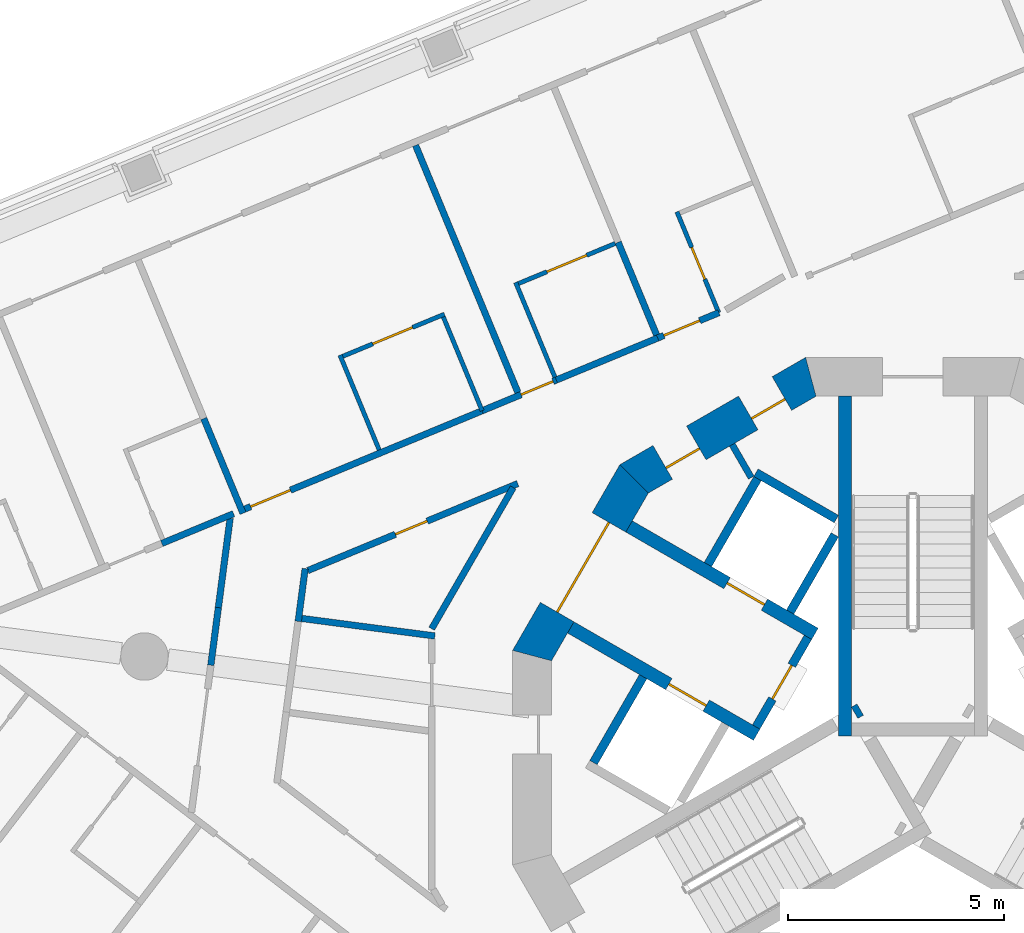
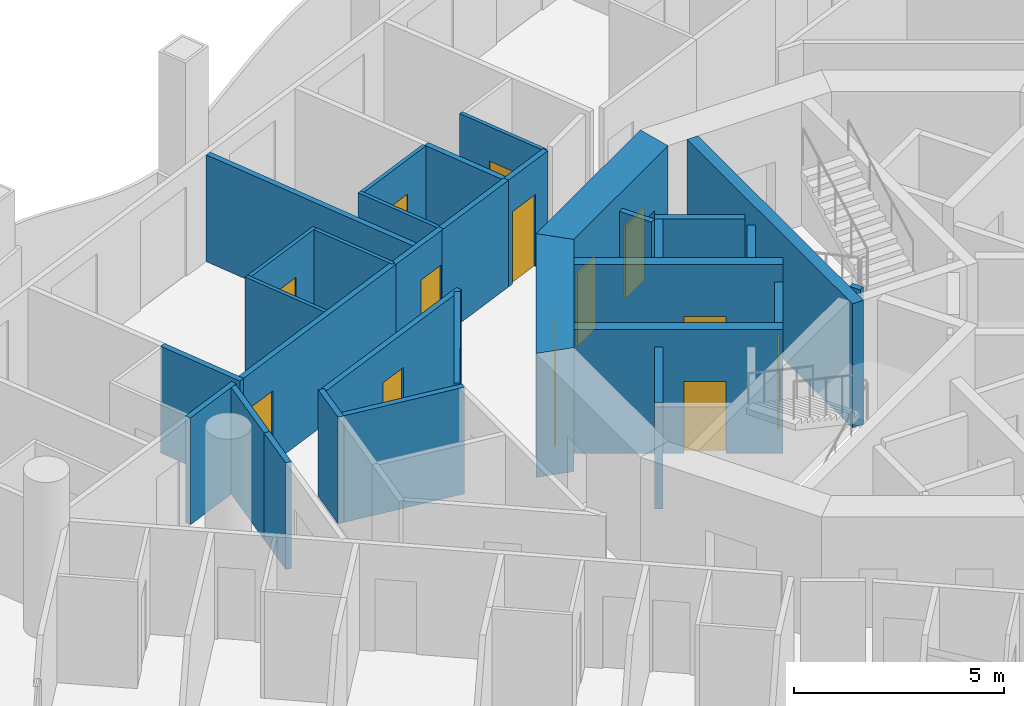
# One storey, part 7 of 17: 32 walls, 13 doors, 13 openings.
"""IFC4 building model written with IfcOpenShell, lengths in metres."""

from ifc_helpers import new_model, si_unit, direction, frame, frame_2d, origin, place, context, subcontext, project, spatial, polyline, rectangle, outline, extrude, material, layer, layer_set, type_object, element, fill, save


model = new_model("IFC4")

# Units and contexts
model_context = context("Model", 3, precision=1e-05, world=origin(), true_north=direction((0.0, 1.0)))
body_context = subcontext(model_context, "Body", "Model", "MODEL_VIEW")
ifc_project = project(units=[si_unit("LENGTHUNIT", "METRE"), si_unit("AREAUNIT", "SQUARE_METRE"), si_unit("VOLUMEUNIT", "CUBIC_METRE"), si_unit("PLANEANGLEUNIT", "RADIAN"), si_unit("MASSUNIT", "GRAM", prefix="KILO")], contexts=[model_context])

# Site, building, storey
site_placement = place(None, origin())
site = spatial("IfcSite", under=ifc_project, at=site_placement, CompositionType="ELEMENT")
building_placement = place(site_placement, origin())
building = spatial("IfcBuilding", under=site, at=building_placement, Name="Trine Commons Tower", CompositionType="ELEMENT")
storey_placement = place(building_placement, frame((0.0, 0.0, 153.0)))
storey = spatial("IfcBuildingStorey", under=building, at=storey_placement, Name="L39", CompositionType="ELEMENT", Elevation=153.0)

# Wall
ifc_material_1 = material(Name="Plasterboard partition on steel studs", Category="steel")
ifc_layer_1 = layer(ifc_material_1, 0.14990234375)
ifc_layer_set_1 = layer_set([ifc_layer_1], Name="Plasterboard partition on steel studs")
wall_type_1 = type_object("IfcWallType", Name="Core room partition 150 mm, EI 60", PredefinedType="PARTITIONING", material=ifc_layer_set_1)
wall_1_placement = place(storey_placement, frame((75.81396484375, 69.7509765625, 0.0), z_axis=(0.0, 0.0, 1.0), x_axis=(0.499890179513, -0.866088799389, 0.0)))
element("IfcWall", 1, at=wall_1_placement, inside=storey, type_object=wall_type_1, Name="Core room partition L39", PredefinedType="PARTITIONING", context=body_context, shape_type="SweptSolid", body=[
    extrude(rectangle(XDim=0.882080078125, YDim=0.14990234375, at=frame_2d((0.44091796875, 0.0))), origin(), (0.0, 0.0, 1.0), 3.10009765625),
])

# Wall, opening, door
ifc_material_2 = material(Name="Fire-rated gypsum shaft wall system")
ifc_layer_2 = layer(ifc_material_2, 0.199951171875)
ifc_layer_set_2 = layer_set([ifc_layer_2], Name="Fire-rated gypsum shaft wall system")
wall_type_2 = type_object("IfcWallType", Name="Lobby end wall 200 mm, EI 120", PredefinedType="PARTITIONING", material=ifc_layer_set_2)
wall_2_placement = place(storey_placement, frame((77.569091796875, 65.2890625, 0.0), z_axis=(0.0, 0.0, 1.0), x_axis=(-0.50012165622, -0.865955154139, 0.0)))
wall_2 = element("IfcWall", 2, at=wall_2_placement, inside=storey, type_object=wall_type_2, Name="Lobby end wall L39", PredefinedType="PARTITIONING", context=body_context, shape_type="SweptSolid", body=[
    extrude(rectangle(XDim=2.39990234375, YDim=0.199951171875, at=frame_2d((1.199951171875, 0.0))), origin(), (0.0, 0.0, 1.0), 3.10009765625),
])
opening_1_placement = place(wall_2_placement, frame((0.749755859375, 0.0, 0.0)))
opening_1 = element("IfcOpeningElement", 3, at=opening_1_placement, cuts=wall_2, Name="Opening K10.07", PredefinedType="OPENING", context=body_context, shape_type="SweptSolid", body=[
    extrude(rectangle(XDim=0.89990234375, YDim=2.10009765625, at=frame_2d((0.449951171875, 1.050048828125))), frame((0.0, 0.10986328125, 0.0), z_axis=(0.0, -1.0, 0.0), x_axis=(1.0, 0.0, 0.0)), (0.0, 0.0, 1.0), 0.219970703125),
])
ifc_material_3 = material(Name="Steel door leaf, fire-rated", Category="steel")
door_type_1 = type_object("IfcDoorType", Name="Riser access door, single leaf 900 x 2100, FD60", OperationType="SINGLE_SWING_LEFT", PredefinedType="DOOR", material=ifc_material_3)
door_1_placement = place(opening_1_placement, frame((0.89990234375, 0.0, 0.0), z_axis=(0.0, 0.0, 1.0), x_axis=(-1.0, 0.0, 0.0)))
door_1 = element("IfcDoor", 4, at=door_1_placement, inside=storey, type_object=door_type_1, Name="Riser door, Mechanical riser L39", OperationType="SINGLE_SWING_RIGHT", OverallHeight=2.10009765625, OverallWidth=0.89990234375, PredefinedType="DOOR", context=body_context, shape_type="SweptSolid", body=[
    extrude(rectangle(XDim=0.89990234375, YDim=2.10009765625, at=frame_2d((0.449951171875, 1.050048828125))), frame((0.0, 0.02490234375, 0.0), z_axis=(0.0, -1.0, 0.0), x_axis=(1.0, 0.0, 0.0)), (0.0, 0.0, 1.0), 0.050048828125),
])
fill(opening_1, door_1)

ifc_material_4 = material(Name="Concrete C70/85", Category="concrete")
ifc_layer_3 = layer(ifc_material_4, 0.300048828125)
ifc_layer_set_3 = layer_set([ifc_layer_3], Name="Concrete C70/85")
wall_type_3 = type_object("IfcWallType", Name="RC shear wall 300 mm, C70/85", PredefinedType="SHEAR", material=ifc_layer_set_3)
wall_3_placement = place(storey_placement, frame((76.381103515625, 63.031005859375, 0.0), z_axis=(0.0, 0.0, 1.0), x_axis=(-0.866080953719, 0.499903772346, 0.0)))
wall_3 = element("IfcWall", 5, at=wall_3_placement, inside=storey, type_object=wall_type_3, Name="Core cross wall SWB-01 L39", PredefinedType="SHEAR", context=body_context, shape_type="SweptSolid", body=[
    extrude(rectangle(XDim=4.97314453125, YDim=0.300048828125, at=frame_2d((2.486572265625, 0.0))), origin(), (0.0, 0.0, 1.0), 3.60009765625),
])
opening_2_placement = place(wall_3_placement, frame((1.350341796875, 0.0, 0.0)))
opening_2 = element("IfcOpeningElement", 6, at=opening_2_placement, cuts=wall_3, Name="Opening LD7", PredefinedType="OPENING", context=body_context, shape_type="SweptSolid", body=[
    extrude(rectangle(XDim=1.0, YDim=2.10009765625, at=frame_2d((0.5, 1.050048828125))), frame((0.0, 0.159912109375, 0.0), z_axis=(0.0, -1.0, 0.0), x_axis=(1.0, 0.0, 0.0)), (0.0, 0.0, 1.0), 0.320068359375),
])
ifc_material_5 = material(Name="Stainless steel sliding door leaves", Category="steel")
door_type_2 = type_object("IfcDoorType", Name="Lift landing door, centre-opening sliding 1000 x 2100, FD90", OperationType="DOUBLE_DOOR_SLIDING", PredefinedType="DOOR", material=ifc_material_5)
door_2_placement = place(opening_2_placement, origin())
door_2 = element("IfcDoor", 7, at=door_2_placement, inside=storey, type_object=door_type_2, Name="Lift landing door HR3 L39", OperationType="DOUBLE_DOOR_SLIDING", OverallHeight=2.10009765625, OverallWidth=1.0, PredefinedType="DOOR", context=body_context, shape_type="SweptSolid", body=[
    extrude(rectangle(XDim=1.0, YDim=2.10009765625, at=frame_2d((0.5, 1.050048828125))), frame((0.0, 0.02490234375, 0.0), z_axis=(0.0, -1.0, 0.0), x_axis=(1.0, 0.0, 0.0)), (0.0, 0.0, 1.0), 0.050048828125),
])
fill(opening_2, door_2)

wall_4_placement = place(storey_placement, frame((77.73095703125, 65.368896484375, 0.0), z_axis=(0.0, 0.0, 1.0), x_axis=(-0.865983655544, 0.500072303102, 0.0)))
wall_4 = element("IfcWall", 8, at=wall_4_placement, inside=storey, type_object=wall_type_3, Name="Core cross wall SWB-02 L39", PredefinedType="SHEAR", context=body_context, shape_type="SweptSolid", body=[
    extrude(rectangle(XDim=4.973388671875, YDim=0.300048828125, at=frame_2d((2.48681640625, 0.0))), origin(), (0.0, 0.0, 1.0), 3.60009765625),
])
opening_3_placement = place(wall_4_placement, frame((1.3505859375, 0.0, 0.0)))
opening_3 = element("IfcOpeningElement", 9, at=opening_3_placement, cuts=wall_4, Name="Opening LD8", PredefinedType="OPENING", context=body_context, shape_type="SweptSolid", body=[
    extrude(rectangle(XDim=1.0, YDim=2.10009765625, at=frame_2d((0.5, 1.050048828125))), frame((0.0, 0.159912109375, 0.0), z_axis=(0.0, -1.0, 0.0), x_axis=(1.0, 0.0, 0.0)), (0.0, 0.0, 1.0), 0.320068359375),
])
door_3_placement = place(opening_3_placement, origin())
door_3 = element("IfcDoor", 10, at=door_3_placement, inside=storey, type_object=door_type_2, Name="Lift landing door HR4 L39", OperationType="DOUBLE_DOOR_SLIDING", OverallHeight=2.10009765625, OverallWidth=1.0, PredefinedType="DOOR", context=body_context, shape_type="SweptSolid", body=[
    extrude(rectangle(XDim=1.0, YDim=2.10009765625, at=frame_2d((0.5, 1.050048828125))), frame((0.0, 0.02490234375, 0.0), z_axis=(0.0, -1.0, 0.0), x_axis=(1.0, 0.0, 0.0)), (0.0, 0.0, 1.0), 0.050048828125),
])
fill(opening_3, door_3)

# Walls
wall_5_placement = place(storey_placement, frame((78.425048828125, 63.0009765625, 0.0), z_axis=(0.0, 0.0, 1.0), x_axis=(0.0, 1.0, 0.0)))
element("IfcWall", 11, at=wall_5_placement, inside=storey, type_object=wall_type_3, Name="Core cross wall SWB-08 L39", PredefinedType="SHEAR", context=body_context, shape_type="SweptSolid", body=[
    extrude(rectangle(XDim=7.8720703125, YDim=0.300048828125, at=frame_2d((3.93603515625, 0.0))), origin(), (0.0, 0.0, 1.0), 3.60009765625),
])
wall_6_placement = place(storey_placement, frame((78.779052734375, 63.614013671875, 0.0), z_axis=(0.0, 0.0, 1.0), x_axis=(-0.867737973955, -0.497021939713, 0.0)))
element("IfcWall", 12, at=wall_6_placement, inside=storey, type_object=wall_type_3, Name="Core cross wall SWB-09 L39", PredefinedType="SHEAR", context=body_context, shape_type="SweptSolid", body=[
    extrude(rectangle(XDim=0.14892578125, YDim=0.300048828125, at=frame_2d((0.074462890625, 0.0))), origin(), (0.0, 0.0, 1.0), 3.60009765625),
])

# Wall, openings, doors
ifc_layer_4 = layer(ifc_material_4, 0.89990234375)
ifc_layer_set_4 = layer_set([ifc_layer_4], Name="Concrete C70/85")
wall_type_4 = type_object("IfcWallType", Name="RC shear wall 900 mm, C70/85", PredefinedType="SHEAR", material=ifc_layer_set_4)
wall_7_placement = place(storey_placement, frame((77.740234375, 71.38330078125, 0.0), z_axis=(0.0, 0.0, 1.0), x_axis=(-0.866003133579, -0.500038571144, 0.0)))
wall_7 = element("IfcWall", 13, at=wall_7_placement, inside=storey, type_object=wall_type_4, Name="Core wall CWD-05 L39", PredefinedType="SHEAR", context=body_context, shape_type="SweptSolid", body=[
    extrude(outline(polyline([(0.0, -0.449951171875), (4.96923828125, -0.449951171875), (4.72802734375, 0.449951171875), (0.2412109375, 0.449951171875), (0.0, -0.449951171875)])), origin(), (0.0, 0.0, 1.0), 3.60009765625),
])
opening_4_placement = place(wall_7_placement, frame((0.89501953125, 0.0, 0.0)))
opening_4 = element("IfcOpeningElement", 14, at=opening_4_placement, cuts=wall_7, Name="Opening K10.13", PredefinedType="OPENING", context=body_context, shape_type="SweptSolid", body=[
    extrude(rectangle(XDim=0.89990234375, YDim=2.10009765625, at=frame_2d((0.449951171875, 1.050048828125))), frame((0.0, 0.4599609375, 0.0), z_axis=(0.0, -1.0, 0.0), x_axis=(1.0, 0.0, 0.0)), (0.0, 0.0, 1.0), 0.919921875),
])
opening_5_placement = place(wall_7_placement, frame((3.18408203125, 0.0, 0.0)))
opening_5 = element("IfcOpeningElement", 15, at=opening_5_placement, cuts=wall_7, Name="Opening K10.14", PredefinedType="OPENING", context=body_context, shape_type="SweptSolid", body=[
    extrude(rectangle(XDim=0.89990234375, YDim=2.10009765625, at=frame_2d((0.449951171875, 1.050048828125))), frame((0.0, 0.4599609375, 0.0), z_axis=(0.0, -1.0, 0.0), x_axis=(1.0, 0.0, 0.0)), (0.0, 0.0, 1.0), 0.919921875),
])
door_type_3 = type_object("IfcDoorType", Name="Core room door, single leaf 900 x 2100, FD30S", OperationType="SINGLE_SWING_LEFT", PredefinedType="DOOR", material=ifc_material_3)
door_4_placement = place(opening_4_placement, origin())
door_4 = element("IfcDoor", 16, at=door_4_placement, inside=storey, type_object=door_type_3, Name="Door to Parcel store L39", OperationType="SINGLE_SWING_LEFT", OverallHeight=2.10009765625, OverallWidth=0.89990234375, PredefinedType="DOOR", context=body_context, shape_type="SweptSolid", body=[
    extrude(rectangle(XDim=0.89990234375, YDim=2.10009765625, at=frame_2d((0.449951171875, 1.050048828125))), frame((0.0, 0.1748046875, 0.0), z_axis=(0.0, -1.0, 0.0), x_axis=(1.0, 0.0, 0.0)), (0.0, 0.0, 1.0), 0.050048828125),
])
fill(opening_4, door_4)
door_5_placement = place(opening_5_placement, origin())
door_5 = element("IfcDoor", 17, at=door_5_placement, inside=storey, type_object=door_type_3, Name="Door to Print room L39", OperationType="SINGLE_SWING_RIGHT", OverallHeight=2.10009765625, OverallWidth=0.89990234375, PredefinedType="DOOR", context=body_context, shape_type="SweptSolid", body=[
    extrude(rectangle(XDim=0.89990234375, YDim=2.10009765625, at=frame_2d((0.449951171875, 1.050048828125))), frame((0.0, 0.1748046875, 0.0), z_axis=(0.0, -1.0, 0.0), x_axis=(1.0, 0.0, 0.0)), (0.0, 0.0, 1.0), 0.050048828125),
])
fill(opening_5, door_5)

# Wall, opening, door
wall_8_placement = place(storey_placement, frame((73.6015625, 69.063232421875, 0.0), z_axis=(0.0, 0.0, 1.0), x_axis=(-0.500038571144, -0.866003133579, 0.0)))
wall_8 = element("IfcWall", 18, at=wall_8_placement, inside=storey, type_object=wall_type_4, Name="Core wall CWD-06 L39", PredefinedType="SHEAR", context=body_context, shape_type="SweptSolid", body=[
    extrude(outline(polyline([(0.0, -0.449951171875), (4.96923828125, -0.449951171875), (4.72802734375, 0.449951171875), (0.2412109375, 0.449951171875), (0.0, -0.449951171875)])), origin(), (0.0, 0.0, 1.0), 3.60009765625),
])
opening_6_placement = place(wall_8_placement, frame((1.28466796875, 0.0, 0.0)))
opening_6 = element("IfcOpeningElement", 19, at=opening_6_placement, cuts=wall_8, Name="Opening K10.06", PredefinedType="OPENING", context=body_context, shape_type="SweptSolid", body=[
    extrude(rectangle(XDim=2.39990234375, YDim=2.10009765625, at=frame_2d((1.199951171875, 1.050048828125))), frame((0.0, 0.4599609375, 0.0), z_axis=(0.0, -1.0, 0.0), x_axis=(1.0, 0.0, 0.0)), (0.0, 0.0, 1.0), 0.919921875),
])
ifc_material_6 = material(Name="Steel door leaves, fire-rated", Category="steel")
door_type_4 = type_object("IfcDoorType", Name="Lobby door, double leaf 2400 x 2100, FD60", OperationType="DOUBLE_DOOR_SINGLE_SWING", PredefinedType="DOOR", material=ifc_material_6)
door_6_placement = place(opening_6_placement, origin())
door_6 = element("IfcDoor", 20, at=door_6_placement, inside=storey, type_object=door_type_4, Name="Lobby door, Passenger lift lobby B L39", OperationType="DOUBLE_DOOR_SINGLE_SWING", OverallHeight=2.10009765625, OverallWidth=2.39990234375, PredefinedType="DOOR", context=body_context, shape_type="SweptSolid", body=[
    extrude(rectangle(XDim=2.39990234375, YDim=2.10009765625, at=frame_2d((1.199951171875, 1.050048828125))), frame((0.0, 0.02490234375, 0.0), z_axis=(0.0, -1.0, 0.0), x_axis=(1.0, 0.0, 0.0)), (0.0, 0.0, 1.0), 0.050048828125),
])
fill(opening_6, door_6)

# Walls
ifc_layer_5 = layer(ifc_material_2, 0.199951171875)
ifc_layer_set_5 = layer_set([ifc_layer_5], Name="Fire-rated gypsum shaft wall system")
wall_type_5 = type_object("IfcWallType", Name="Shaft wall 200 mm, EI 120", PredefinedType="PARTITIONING", material=ifc_layer_set_5)
for number, where, z_axis, x_axis, name in (
    (21, (73.7509765625, 64.3759765625, 0.0), (0.0, 0.0, 1.0), (-0.500136062276, -0.86594683394, 0.0), "Shaft wall L39"),
    (22, (75.2509765625, 66.97412109375, 0.0), (0.0, 0.0, 1.0), (0.500136062276, 0.86594683394, 0.0), "Shaft wall L39"),
):
    element("IfcWall", number, at=place(storey_placement, frame(where, z_axis=z_axis, x_axis=x_axis)), inside=storey, type_object=wall_type_5, Name=name, PredefinedType="PARTITIONING", context=body_context, shape_type="SweptSolid", body=[
        extrude(rectangle(XDim=2.299072265625, YDim=0.199951171875, at=frame_2d((1.1494140625, 0.0))), origin(), (0.0, 0.0, 1.0), 3.10009765625),
    ])
wall_9_placement = place(storey_placement, frame((77.156005859375, 65.8740234375, 0.0), z_axis=(0.0, 0.0, 1.0), x_axis=(0.499865770674, 0.866102887253, 0.0)))
element("IfcWall", 23, at=wall_9_placement, inside=storey, type_object=wall_type_5, Name="Shaft wall L39", PredefinedType="PARTITIONING", context=body_context, shape_type="SweptSolid", body=[
    extrude(rectangle(XDim=2.064453125, YDim=0.199951171875, at=frame_2d((1.0322265625, 0.0))), origin(), (0.0, 0.0, 1.0), 3.10009765625),
])
wall_10_placement = place(storey_placement, frame((78.22509765625, 68.028076171875, 0.0), z_axis=(0.0, 0.0, 1.0), x_axis=(-0.866130725101, 0.499817533742, 0.0)))
element("IfcWall", 24, at=wall_10_placement, inside=storey, type_object=wall_type_5, Name="Shaft wall L39", PredefinedType="PARTITIONING", context=body_context, shape_type="SweptSolid", body=[
    extrude(rectangle(XDim=2.148681640625, YDim=0.199951171875, at=frame_2d((1.07421875, 0.0))), origin(), (0.0, 0.0, 1.0), 3.10009765625),
])
ifc_material_7 = material(Name="Gypsum plasterboard on steel stud", Category="steel")
ifc_layer_6 = layer(ifc_material_7, 0.14990234375)
ifc_layer_set_6 = layer_set([ifc_layer_6], Name="Gypsum plasterboard on steel stud")
wall_type_6 = type_object("IfcWallType", Name="Unit and corridor wall 150 mm, EI 60", PredefinedType="PARTITIONING", material=ifc_layer_set_6)
wall_11_placement = place(storey_placement, frame((62.600830078125, 67.462890625, 0.0), z_axis=(0.0, 0.0, 1.0), x_axis=(0.923849795108, 0.382755216919, 0.0)))
element("IfcWall", 25, at=wall_11_placement, inside=storey, type_object=wall_type_6, Name="Partition 019", PredefinedType="PARTITIONING", context=body_context, shape_type="SweptSolid", body=[
    extrude(rectangle(XDim=1.79931640625, YDim=0.14990234375, at=frame_2d((0.899658203125, 0.0))), origin(), (0.0, 0.0, 1.0), 3.10009765625),
])
wall_12_placement = place(storey_placement, frame((63.572998046875, 70.35595703125, 0.0), z_axis=(0.0, 0.0, 1.0), x_axis=(0.382599946008, -0.923914109274, 0.0)))
element("IfcWall", 26, at=wall_12_placement, inside=storey, type_object=wall_type_6, Name="Partition 021", PredefinedType="PARTITIONING", context=body_context, shape_type="SweptSolid", body=[
    extrude(rectangle(XDim=2.375, YDim=0.14990234375, at=frame_2d((1.1875, 0.0))), origin(), (0.0, 0.0, 1.0), 3.10009765625),
])
wall_13_placement = place(storey_placement, frame((63.736083984375, 64.64111328125, 0.0), z_axis=(0.0, 0.0, 1.0), x_axis=(0.129741998441, 0.991547786968, 0.0)))
element("IfcWall", 27, at=wall_13_placement, inside=storey, type_object=wall_type_6, Name="Partition 022", PredefinedType="PARTITIONING", context=body_context, shape_type="SweptSolid", body=[
    extrude(rectangle(XDim=1.347412109375, YDim=0.14990234375, at=frame_2d((0.673828125, 0.0))), origin(), (0.0, 0.0, 1.0), 3.10009765625),
])
wall_14_placement = place(storey_placement, frame((63.910888671875, 65.97705078125, 0.0), z_axis=(0.0, 0.0, 1.0), x_axis=(0.13074768898, 0.9914156756, 0.0)))
element("IfcWall", 28, at=wall_14_placement, inside=storey, type_object=wall_type_6, Name="Partition 023", PredefinedType="PARTITIONING", context=body_context, shape_type="SweptSolid", body=[
    extrude(rectangle(XDim=2.08935546875, YDim=0.14990234375, at=frame_2d((1.044677734375, 0.0))), origin(), (0.0, 0.0, 1.0), 3.10009765625),
])

# Wall, opening, door
wall_15_placement = place(storey_placement, frame((64.519287109375, 68.2578125, 0.0), z_axis=(0.0, 0.0, 1.0), x_axis=(0.923893003405, 0.382650909131, 0.0)))
wall_15 = element("IfcWall", 29, at=wall_15_placement, inside=storey, type_object=wall_type_6, Name="Partition 024", PredefinedType="PARTITIONING", context=body_context, shape_type="SweptSolid", body=[
    extrude(rectangle(XDim=5.959228515625, YDim=0.14990234375, at=frame_2d((2.9794921875, 0.0))), origin(), (0.0, 0.0, 1.0), 3.10009765625),
])
opening_7_placement = place(wall_15_placement, frame((0.14990234375, 0.0, 0.0)))
opening_7 = element("IfcOpeningElement", 30, at=opening_7_placement, cuts=wall_15, Name="Opening D-4C07", PredefinedType="OPENING", context=body_context, shape_type="SweptSolid", body=[
    extrude(rectangle(XDim=1.0, YDim=2.10009765625, at=frame_2d((0.5, 1.050048828125))), frame((0.0, 0.0849609375, 0.0), z_axis=(0.0, -1.0, 0.0), x_axis=(1.0, 0.0, 0.0)), (0.0, 0.0, 1.0), 0.169921875),
])
ifc_material_8 = material(Name="Timber fire door set", Category="wood")
door_type_5 = type_object("IfcDoorType", Name="Bedroom door 1000 x 2100, FD30S", OperationType="NOTDEFINED", PredefinedType="DOOR", material=ifc_material_8)
door_7_placement = place(opening_7_placement, origin())
door_7 = element("IfcDoor", 31, at=door_7_placement, inside=storey, type_object=door_type_5, Name="Door D-4C07", OperationType="SINGLE_SWING_LEFT", OverallHeight=2.10009765625, OverallWidth=1.0, PredefinedType="DOOR", context=body_context, shape_type="SweptSolid", body=[
    extrude(rectangle(XDim=1.0, YDim=2.10009765625, at=frame_2d((0.5, 1.050048828125))), frame((0.0, 0.02490234375, 0.0), z_axis=(0.0, -1.0, 0.0), x_axis=(1.0, 0.0, 0.0)), (0.0, 0.0, 1.0), 0.050048828125),
])
fill(opening_7, door_7)

# Walls
wall_16_placement = place(storey_placement, frame((65.76025390625, 65.656494140625, 0.0), z_axis=(0.0, 0.0, 1.0), x_axis=(0.131022785859, 0.99137935705, 0.0)))
element("IfcWall", 32, at=wall_16_placement, inside=storey, type_object=wall_type_6, Name="Partition 032", PredefinedType="PARTITIONING", context=body_context, shape_type="SweptSolid", body=[
    extrude(rectangle(XDim=1.233642578125, YDim=0.14990234375, at=frame_2d((0.61669921875, 0.0))), origin(), (0.0, 0.0, 1.0), 3.10009765625),
])
wall_17_placement = place(storey_placement, frame((65.845458984375, 65.72509765625, 0.0), z_axis=(0.0, 0.0, 1.0), x_axis=(0.991429142169, -0.130645535929, 0.0)))
element("IfcWall", 33, at=wall_17_placement, inside=storey, type_object=wall_type_6, Name="Partition 033", PredefinedType="PARTITIONING", context=body_context, shape_type="SweptSolid", body=[
    extrude(rectangle(XDim=3.107666015625, YDim=0.14990234375, at=frame_2d((1.5537109375, 0.0))), origin(), (0.0, 0.0, 1.0), 3.10009765625),
])

# Wall, opening, door
wall_18_placement = place(storey_placement, frame((65.981201171875, 66.833740234375, 0.0), z_axis=(0.0, 0.0, 1.0), x_axis=(0.923830903719, 0.382800811563, 0.0)))
wall_18 = element("IfcWall", 34, at=wall_18_placement, inside=storey, type_object=wall_type_6, Name="Partition 034", PredefinedType="PARTITIONING", context=body_context, shape_type="SweptSolid", body=[
    extrude(rectangle(XDim=5.26611328125, YDim=0.14990234375, at=frame_2d((2.633056640625, 0.0))), origin(), (0.0, 0.0, 1.0), 3.10009765625),
])
opening_8_placement = place(wall_18_placement, frame((2.195556640625, 0.0, 0.0)))
opening_8 = element("IfcOpeningElement", 35, at=opening_8_placement, cuts=wall_18, Name="Opening D-4C36", PredefinedType="OPENING", context=body_context, shape_type="SweptSolid", body=[
    extrude(rectangle(XDim=0.800048828125, YDim=2.10009765625, at=frame_2d((0.39990234375, 1.050048828125))), frame((0.0, 0.0849609375, 0.0), z_axis=(0.0, -1.0, 0.0), x_axis=(1.0, 0.0, 0.0)), (0.0, 0.0, 1.0), 0.169921875),
])
ifc_material_9 = material(Name="Painted timber", Category="wood")
door_type_6 = type_object("IfcDoorType", Name="Toilet door 800 x 2100, NOT RATED", OperationType="NOTDEFINED", PredefinedType="DOOR", material=ifc_material_9)
door_8_placement = place(opening_8_placement, frame((0.800048828125, 0.0, 0.0), z_axis=(0.0, 0.0, 1.0), x_axis=(-1.0, 0.0, 0.0)))
door_8 = element("IfcDoor", 36, at=door_8_placement, inside=storey, type_object=door_type_6, Name="Door D-4C36", OperationType="SINGLE_SWING_RIGHT", OverallHeight=2.10009765625, OverallWidth=0.800048828125, PredefinedType="DOOR", context=body_context, shape_type="SweptSolid", body=[
    extrude(rectangle(XDim=0.800048828125, YDim=2.10009765625, at=frame_2d((0.39990234375, 1.050048828125))), frame((0.0, 0.02490234375, 0.0), z_axis=(0.0, -1.0, 0.0), x_axis=(1.0, 0.0, 0.0)), (0.0, 0.0, 1.0), 0.050048828125),
])
fill(opening_8, door_8)

# Walls
wall_19_placement = place(storey_placement, frame((68.479248046875, 76.68408203125, 0.0), z_axis=(0.0, 0.0, 1.0), x_axis=(0.382630273673, -0.923901549771, 0.0)))
element("IfcWall", 37, at=wall_19_placement, inside=storey, type_object=wall_type_6, Name="Partition 039", PredefinedType="PARTITIONING", context=body_context, shape_type="SweptSolid", body=[
    extrude(rectangle(XDim=6.1943359375, YDim=0.14990234375, at=frame_2d((3.09716796875, 0.0))), origin(), (0.0, 0.0, 1.0), 3.10009765625),
])
wall_20_placement = place(storey_placement, frame((68.85205078125, 65.487060546875, 0.0), z_axis=(0.0, 0.0, 1.0), x_axis=(0.500065504582, 0.865987581393, 0.0)))
element("IfcWall", 38, at=wall_20_placement, inside=storey, type_object=wall_type_6, Name="Partition 044", PredefinedType="PARTITIONING", context=body_context, shape_type="SweptSolid", body=[
    extrude(rectangle(XDim=3.7783203125, YDim=0.14990234375, at=frame_2d((1.88916015625, 0.0))), origin(), (0.0, 0.0, 1.0), 3.10009765625),
])

# Wall, opening, door
wall_21_placement = place(storey_placement, frame((70.01806640625, 70.534912109375, 0.0), z_axis=(0.0, 0.0, 1.0), x_axis=(0.923823521245, 0.382818627544, 0.0)))
wall_21 = element("IfcWall", 39, at=wall_21_placement, inside=storey, type_object=wall_type_6, Name="Partition 046", PredefinedType="PARTITIONING", context=body_context, shape_type="SweptSolid", body=[
    extrude(rectangle(XDim=1.86279296875, YDim=0.14990234375, at=frame_2d((0.931396484375, 0.0))), origin(), (0.0, 0.0, 1.0), 3.10009765625),
])
opening_9_placement = place(wall_21_placement, frame((0.981201171875, 0.0, 0.0)))
opening_9 = element("IfcOpeningElement", 40, at=opening_9_placement, cuts=wall_21, Name="Opening D-4C08", PredefinedType="OPENING", context=body_context, shape_type="SweptSolid", body=[
    extrude(rectangle(XDim=0.800048828125, YDim=2.10009765625, at=frame_2d((0.39990234375, 1.050048828125))), frame((0.0, 0.0849609375, 0.0), z_axis=(0.0, -1.0, 0.0), x_axis=(1.0, 0.0, 0.0)), (0.0, 0.0, 1.0), 0.169921875),
])
door_type_7 = type_object("IfcDoorType", Name="Bedroom door 800 x 2100, FD30S", OperationType="NOTDEFINED", PredefinedType="DOOR", material=ifc_material_8)
door_9_placement = place(opening_9_placement, origin())
door_9 = element("IfcDoor", 41, at=door_9_placement, inside=storey, type_object=door_type_7, Name="Door D-4C08", OperationType="SINGLE_SWING_RIGHT", OverallHeight=2.10009765625, OverallWidth=0.800048828125, PredefinedType="DOOR", context=body_context, shape_type="SweptSolid", body=[
    extrude(rectangle(XDim=0.800048828125, YDim=2.10009765625, at=frame_2d((0.39990234375, 1.050048828125))), frame((0.0, 0.02490234375, 0.0), z_axis=(0.0, -1.0, 0.0), x_axis=(1.0, 0.0, 0.0)), (0.0, 0.0, 1.0), 0.050048828125),
])
fill(opening_9, door_9)

# Walls
wall_22_placement = place(storey_placement, frame((71.685791015625, 71.225830078125, 0.0), z_axis=(0.0, 0.0, 1.0), x_axis=(0.923828532821, 0.38280653331, 0.0)))
element("IfcWall", 42, at=wall_22_placement, inside=storey, type_object=wall_type_6, Name="Partition 051", PredefinedType="PARTITIONING", context=body_context, shape_type="SweptSolid", body=[
    extrude(rectangle(XDim=2.60791015625, YDim=0.14990234375, at=frame_2d((1.303955078125, 0.0))), origin(), (0.0, 0.0, 1.0), 3.10009765625),
])
wall_23_placement = place(storey_placement, frame((73.172119140625, 74.43994140625, 0.0), z_axis=(0.0, 0.0, 1.0), x_axis=(0.382877328836, -0.923799194123, 0.0)))
element("IfcWall", 43, at=wall_23_placement, inside=storey, type_object=wall_type_6, Name="Partition 054", PredefinedType="PARTITIONING", context=body_context, shape_type="SweptSolid", body=[
    extrude(rectangle(XDim=2.324951171875, YDim=0.14990234375, at=frame_2d((1.16259765625, 0.0))), origin(), (0.0, 0.0, 1.0), 3.10009765625),
])

# Wall, opening, door
wall_24_placement = place(storey_placement, frame((74.087890625, 72.220947265625, 0.0), z_axis=(0.0, 0.0, 1.0), x_axis=(0.923720156635, 0.383067973375, 0.0)))
wall_24 = element("IfcWall", 44, at=wall_24_placement, inside=storey, type_object=wall_type_6, Name="Partition 057", PredefinedType="PARTITIONING", context=body_context, shape_type="SweptSolid", body=[
    extrude(rectangle(XDim=1.535400390625, YDim=0.14990234375, at=frame_2d((0.767578125, 0.0))), origin(), (0.0, 0.0, 1.0), 3.10009765625),
])
opening_10_placement = place(wall_24_placement, frame((0.153564453125, 0.0, 0.0)))
opening_10 = element("IfcOpeningElement", 45, at=opening_10_placement, cuts=wall_24, Name="Opening D-4C09", PredefinedType="OPENING", context=body_context, shape_type="SweptSolid", body=[
    extrude(rectangle(XDim=0.89990234375, YDim=2.10009765625, at=frame_2d((0.449951171875, 1.050048828125))), frame((0.0, 0.0849609375, 0.0), z_axis=(0.0, -1.0, 0.0), x_axis=(1.0, 0.0, 0.0)), (0.0, 0.0, 1.0), 0.169921875),
])
door_type_8 = type_object("IfcDoorType", Name="Bedroom door 900 x 2100, FD30S", OperationType="NOTDEFINED", PredefinedType="DOOR", material=ifc_material_8)
door_10_placement = place(opening_10_placement, origin())
door_10 = element("IfcDoor", 46, at=door_10_placement, inside=storey, type_object=door_type_8, Name="Door D-4C09", OperationType="SINGLE_SWING_LEFT", OverallHeight=2.10009765625, OverallWidth=0.89990234375, PredefinedType="DOOR", context=body_context, shape_type="SweptSolid", body=[
    extrude(rectangle(XDim=0.89990234375, YDim=2.10009765625, at=frame_2d((0.449951171875, 1.050048828125))), frame((0.0, 0.02490234375, 0.0), z_axis=(0.0, -1.0, 0.0), x_axis=(1.0, 0.0, 0.0)), (0.0, 0.0, 1.0), 0.050048828125),
])
fill(opening_10, door_10)

# Wall
ifc_layer_7 = layer(ifc_material_7, 0.10009765625)
ifc_layer_set_7 = layer_set([ifc_layer_7], Name="Gypsum plasterboard on steel stud")
wall_type_7 = type_object("IfcWallType", Name="Unit partition 100 mm, no rating", PredefinedType="PARTITIONING", material=ifc_layer_set_7)
wall_25_placement = place(storey_placement, frame((66.727783203125, 71.8251953125, 0.0), z_axis=(0.0, 0.0, 1.0), x_axis=(0.382439544187, -0.923980516592, 0.0)))
element("IfcWall", 47, at=wall_25_placement, inside=storey, type_object=wall_type_7, Name="Partition 036", PredefinedType="PARTITIONING", context=body_context, shape_type="SweptSolid", body=[
    extrude(rectangle(XDim=2.37548828125, YDim=0.10009765625, at=frame_2d((1.187744140625, 0.0))), origin(), (0.0, 0.0, 1.0), 3.10009765625),
])

# Wall, opening, door
wall_26_placement = place(storey_placement, frame((66.793212890625, 71.798095703125, 0.0), z_axis=(0.0, 0.0, 1.0), x_axis=(0.923851127546, 0.382752000821, 0.0)))
wall_26 = element("IfcWall", 48, at=wall_26_placement, inside=storey, type_object=wall_type_7, Name="Partition 037", PredefinedType="PARTITIONING", context=body_context, shape_type="SweptSolid", body=[
    extrude(rectangle(XDim=2.550048828125, YDim=0.10009765625, at=frame_2d((1.27490234375, 0.0))), origin(), (0.0, 0.0, 1.0), 3.10009765625),
])
opening_11_placement = place(wall_26_placement, frame((0.75, 0.0, 0.0)))
opening_11 = element("IfcOpeningElement", 49, at=opening_11_placement, cuts=wall_26, Name="Opening D-4C40", PredefinedType="OPENING", context=body_context, shape_type="SweptSolid", body=[
    extrude(rectangle(XDim=1.0, YDim=2.10009765625, at=frame_2d((0.5, 1.050048828125))), frame((0.0, 0.06005859375, 0.0), z_axis=(0.0, -1.0, 0.0), x_axis=(1.0, 0.0, 0.0)), (0.0, 0.0, 1.0), 0.1201171875),
])
door_type_9 = type_object("IfcDoorType", Name="Internal door 1000 x 2100, NOT RATED", OperationType="NOTDEFINED", PredefinedType="DOOR", material=ifc_material_9)
door_11_placement = place(opening_11_placement, origin())
door_11 = element("IfcDoor", 50, at=door_11_placement, inside=storey, type_object=door_type_9, Name="Door D-4C40", OperationType="SINGLE_SWING_LEFT", OverallHeight=2.10009765625, OverallWidth=1.0, PredefinedType="DOOR", context=body_context, shape_type="SweptSolid", body=[
    extrude(rectangle(XDim=1.0, YDim=2.10009765625, at=frame_2d((0.5, 1.050048828125))), frame((0.0, 0.02490234375, 0.0), z_axis=(0.0, -1.0, 0.0), x_axis=(1.0, 0.0, 0.0)), (0.0, 0.0, 1.0), 0.050048828125),
])
fill(opening_11, door_11)

# Walls
wall_27_placement = place(storey_placement, frame((69.1220703125, 72.708740234375, 0.0), z_axis=(0.0, 0.0, 1.0), x_axis=(0.382468003231, -0.923968736757, 0.0)))
element("IfcWall", 51, at=wall_27_placement, inside=storey, type_object=wall_type_7, Name="Partition 045", PredefinedType="PARTITIONING", context=body_context, shape_type="SweptSolid", body=[
    extrude(rectangle(XDim=2.350341796875, YDim=0.10009765625, at=frame_2d((1.17529296875, 0.0))), origin(), (0.0, 0.0, 1.0), 3.10009765625),
])
wall_28_placement = place(storey_placement, frame((70.796875, 73.51025390625, 0.0), z_axis=(0.0, 0.0, 1.0), x_axis=(0.382935858865, -0.923774933626, 0.0)))
element("IfcWall", 52, at=wall_28_placement, inside=storey, type_object=wall_type_7, Name="Partition 048", PredefinedType="PARTITIONING", context=body_context, shape_type="SweptSolid", body=[
    extrude(rectangle(XDim=2.374755859375, YDim=0.10009765625, at=frame_2d((1.1875, 0.0))), origin(), (0.0, 0.0, 1.0), 3.10009765625),
])

# Wall, opening, door
wall_29_placement = place(storey_placement, frame((70.8623046875, 73.483154296875, 0.0), z_axis=(0.0, 0.0, 1.0), x_axis=(0.923852403891, 0.382748920082, 0.0)))
wall_29 = element("IfcWall", 53, at=wall_29_placement, inside=storey, type_object=wall_type_7, Name="Partition 049", PredefinedType="PARTITIONING", context=body_context, shape_type="SweptSolid", body=[
    extrude(rectangle(XDim=2.425048828125, YDim=0.10009765625, at=frame_2d((1.21240234375, 0.0))), origin(), (0.0, 0.0, 1.0), 3.10009765625),
])
opening_12_placement = place(wall_29_placement, frame((0.712646484375, 0.0, 0.0)))
opening_12 = element("IfcOpeningElement", 54, at=opening_12_placement, cuts=wall_29, Name="Opening D-4C41", PredefinedType="OPENING", context=body_context, shape_type="SweptSolid", body=[
    extrude(rectangle(XDim=1.0, YDim=2.10009765625, at=frame_2d((0.5, 1.050048828125))), frame((0.0, 0.06005859375, 0.0), z_axis=(0.0, -1.0, 0.0), x_axis=(1.0, 0.0, 0.0)), (0.0, 0.0, 1.0), 0.1201171875),
])
door_12_placement = place(opening_12_placement, origin())
door_12 = element("IfcDoor", 55, at=door_12_placement, inside=storey, type_object=door_type_9, Name="Door D-4C41", OperationType="SINGLE_SWING_RIGHT", OverallHeight=2.10009765625, OverallWidth=1.0, PredefinedType="DOOR", context=body_context, shape_type="SweptSolid", body=[
    extrude(rectangle(XDim=1.0, YDim=2.10009765625, at=frame_2d((0.5, 1.050048828125))), frame((0.0, 0.02490234375, 0.0), z_axis=(0.0, -1.0, 0.0), x_axis=(1.0, 0.0, 0.0)), (0.0, 0.0, 1.0), 0.050048828125),
])
fill(opening_12, door_12)

wall_30_placement = place(storey_placement, frame((74.533935546875, 75.145263671875, 0.0), z_axis=(0.0, 0.0, 1.0), x_axis=(0.382490955249, -0.923959235655, 0.0)))
wall_30 = element("IfcWall", 56, at=wall_30_placement, inside=storey, type_object=wall_type_7, Name="Partition 058", PredefinedType="PARTITIONING", context=body_context, shape_type="SweptSolid", body=[
    extrude(rectangle(XDim=2.53076171875, YDim=0.10009765625, at=frame_2d((1.265380859375, 0.0))), origin(), (0.0, 0.0, 1.0), 3.10009765625),
])
opening_13_placement = place(wall_30_placement, frame((0.890380859375, 0.0, 0.0)))
opening_13 = element("IfcOpeningElement", 57, at=opening_13_placement, cuts=wall_30, Name="Opening D-4C42", PredefinedType="OPENING", context=body_context, shape_type="SweptSolid", body=[
    extrude(rectangle(XDim=0.800048828125, YDim=2.10009765625, at=frame_2d((0.39990234375, 1.050048828125))), frame((0.0, 0.06005859375, 0.0), z_axis=(0.0, -1.0, 0.0), x_axis=(1.0, 0.0, 0.0)), (0.0, 0.0, 1.0), 0.1201171875),
])
door_type_10 = type_object("IfcDoorType", Name="Internal door 800 x 2100, NOT RATED", OperationType="NOTDEFINED", PredefinedType="DOOR", material=ifc_material_9)
door_13_placement = place(opening_13_placement, frame((0.800048828125, 0.0, 0.0), z_axis=(0.0, 0.0, 1.0), x_axis=(-1.0, 0.0, 0.0)))
door_13 = element("IfcDoor", 58, at=door_13_placement, inside=storey, type_object=door_type_10, Name="Door D-4C42", OperationType="SINGLE_SWING_LEFT", OverallHeight=2.10009765625, OverallWidth=0.800048828125, PredefinedType="DOOR", context=body_context, shape_type="SweptSolid", body=[
    extrude(rectangle(XDim=0.800048828125, YDim=2.10009765625, at=frame_2d((0.39990234375, 1.050048828125))), frame((0.0, 0.02490234375, 0.0), z_axis=(0.0, -1.0, 0.0), x_axis=(1.0, 0.0, 0.0)), (0.0, 0.0, 1.0), 0.050048828125),
])
fill(opening_13, door_13)

save(model, "model.ifc")
